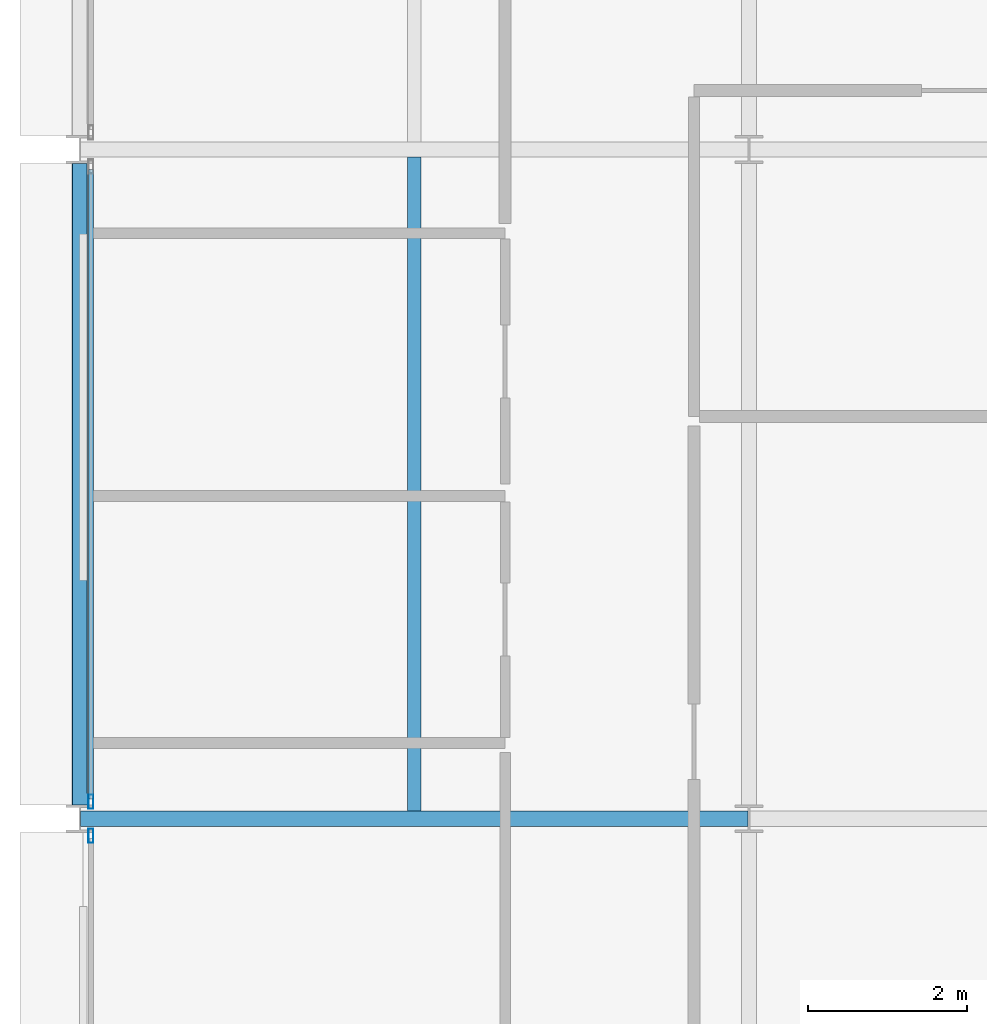
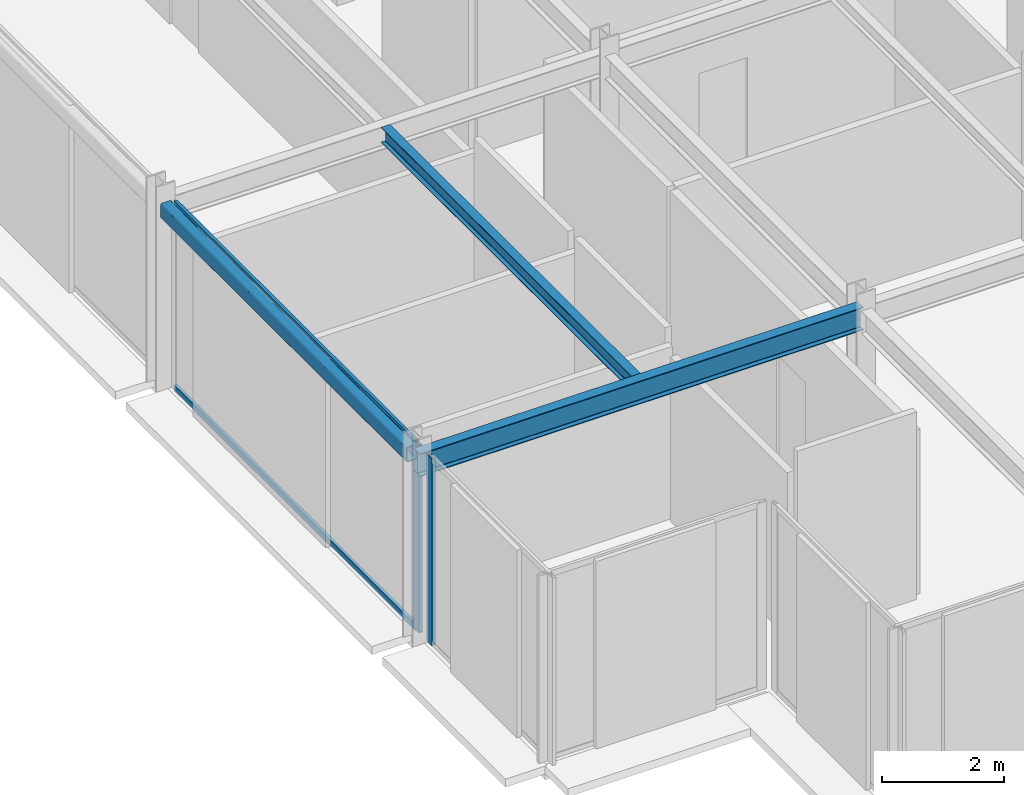
# One storey, part 4 of 26: 4 members, 3 beams, 2 elements without a shape of their own.
"""IFC4 building model written with IfcOpenShell, lengths in metres."""

from ifc_helpers import new_model, si_unit, direction, frame, origin, origin_2d, place, context, subcontext, project, spatial, hollow_rectangle, i_section, extrude, material, layer, layer_set, material_profile, profile_set, type_object, element, aggregate, save


model = new_model("IFC4")

# Units and contexts
model_context = context("Model", 3, precision=1e-05, world=origin(), true_north=direction((0.0, 1.0)))
body_context = subcontext(model_context, "Body", "Model", "MODEL_VIEW")
ifc_project = project(units=[si_unit("LENGTHUNIT", "METRE"), si_unit("AREAUNIT", "SQUARE_METRE"), si_unit("VOLUMEUNIT", "CUBIC_METRE"), si_unit("PLANEANGLEUNIT", "RADIAN"), si_unit("MASSUNIT", "GRAM", prefix="KILO")], contexts=[model_context])

# Site, building, storey
site_placement = place(None, origin())
site = spatial("IfcSite", under=ifc_project, at=site_placement, CompositionType="ELEMENT")
building_placement = place(site_placement, origin())
building = spatial("IfcBuilding", under=site, at=building_placement, Name="Nerrivon Quay Data Exchange", CompositionType="ELEMENT")
storey_placement = place(building_placement, frame((0.0, 0.0, 241.10009765625)))
storey = spatial("IfcBuildingStorey", under=building, at=storey_placement, Name="L57", CompositionType="ELEMENT", Elevation=241.10009765625)

# Beams
ifc_material_1 = material(Name="Steel Grade 350", Category="steel")
ifc_material_profile_1 = material_profile(ifc_material_1, i_section(OverallWidth=0.19091796875, OverallDepth=0.4599609375, WebThickness=0.010009765625, FlangeThickness=0.01611328125, FilletRadius=0.011474609375, at=origin_2d()), Name="460UB82.1")
ifc_profile_set_1 = profile_set([ifc_material_profile_1], Name="Steel Grade 350")
beam_type_1 = type_object("IfcBeamType", Name="BM-G5-460UB82", PredefinedType="BEAM", material=ifc_profile_set_1)
beam_1_placement = place(storey_placement, frame((0.010009765625, 8.39990234375, 3.52001953125), z_axis=(1.0, 0.0, 0.0), x_axis=(0.0, 1.0, 0.0)))
element("IfcBeam", 1, at=beam_1_placement, inside=storey, type_object=beam_type_1, Name="L57 EW Girder Y=8.4 (0.0..8.4)", PredefinedType="BEAM", context=body_context, shape_type="SweptSolid", body=[
    extrude(i_section(OverallWidth=0.19091796875, OverallDepth=0.4599609375, WebThickness=0.010009765625, FlangeThickness=0.01611328125, FilletRadius=0.011474609375, at=origin_2d()), origin(), (0.0, 0.0, 1.0), 8.3798828125),
])
ifc_material_profile_2 = material_profile(ifc_material_1, i_section(OverallWidth=0.166015625, OverallDepth=0.306884765625, WebThickness=0.006591796875, FlangeThickness=0.01171875, FilletRadius=0.011474609375, at=origin_2d()), Name="310UB46.2")
ifc_profile_set_2 = profile_set([ifc_material_profile_2], Name="Steel Grade 350")
beam_type_2 = type_object("IfcBeamType", Name="BM-J5-310UB46", PredefinedType="JOIST", material=ifc_profile_set_2)
beam_2_placement = place(storey_placement, frame((4.199951171875, 8.49560546875, 3.596435546875), z_axis=(0.0, 1.0, 0.0), x_axis=(-1.0, 0.0, 0.0)))
element("IfcBeam", 2, at=beam_2_placement, inside=storey, type_object=beam_type_2, Name="L57 Secondary Joist X=4.2 (8.4..16.8)", PredefinedType="JOIST", context=body_context, shape_type="SweptSolid", body=[
    extrude(i_section(OverallWidth=0.166015625, OverallDepth=0.306884765625, WebThickness=0.006591796875, FlangeThickness=0.01171875, FilletRadius=0.011474609375, at=origin_2d()), origin(), (0.0, 0.0, 1.0), 8.208984375),
])
ifc_material_2 = material(Name="Steel Grade C350L0 (350 MPa)", Category="steel")
ifc_material_profile_3 = material_profile(ifc_material_2, hollow_rectangle(XDim=0.199951171875, YDim=0.300048828125, WallThickness=0.012451171875, InnerFilletRadius=0.018798828125, OuterFilletRadius=0.03125, at=origin_2d()), Name="300x200x12.5RHS")
ifc_profile_set_3 = profile_set([ifc_material_profile_3], Name="Steel Grade C350L0 (350 MPa)")
beam_type_3 = type_object("IfcBeamType", Name="BM-SP3-300x200RHS", PredefinedType="SPANDREL", material=ifc_profile_set_3)
beam_3_placement = place(storey_placement, frame((0.0, 8.574951171875, 3.599853515625), z_axis=(0.0, 1.0, 0.0), x_axis=(-1.0, 0.0, 0.0)))
element("IfcBeam", 3, at=beam_3_placement, inside=storey, type_object=beam_type_3, Name="L57 NS Girder X=0.0 (8.4..16.8)", PredefinedType="SPANDREL", context=body_context, shape_type="SweptSolid", body=[
    extrude(hollow_rectangle(XDim=0.199951171875, YDim=0.300048828125, WallThickness=0.012451171875, InnerFilletRadius=0.018798828125, OuterFilletRadius=0.03125, at=origin_2d()), origin(), (0.0, 0.0, 1.0), 8.050048828125),
])

# Curtain wall, member
ifc_material_3 = material(Name="Anodised aluminium 6063-T6", Category="aluminium")
ifc_layer = layer(ifc_material_3, 0.195068359375)
ifc_layer_set = layer_set([ifc_layer], Name="Anodised aluminium 6063-T6")
curtain_wall_type = type_object("IfcCurtainWallType", Name="CW-SYS-06", PredefinedType="NOTDEFINED", material=ifc_layer_set)
curtain_wall_1_placement = place(storey_placement, origin())
curtain_wall_1 = element("IfcCurtainWall", 4, at=curtain_wall_1_placement, inside=storey, type_object=curtain_wall_type, Name="L57 Unitised Curtain Wall 11", PredefinedType="NOTDEFINED")
ifc_material_profile_4 = material_profile(ifc_material_3, hollow_rectangle(XDim=0.06494140625, YDim=0.179931640625, WallThickness=0.00341796875, at=origin_2d()), Name="ALU-MULL-180x65")
ifc_profile_set_4 = profile_set([ifc_material_profile_4], Name="Anodised aluminium 6063-T6")
member_type_1 = type_object("IfcMemberType", Name="CWM-180x65", PredefinedType="MULLION", material=ifc_profile_set_4)
member_1_placement = place(storey_placement, frame((0.139892578125, 8.1875, 0.0), z_axis=(0.0, 0.0, 1.0), x_axis=(-1.0, 0.0, 0.0)))
member_1 = element("IfcMember", 5, at=member_1_placement, type_object=member_type_1, Name="CW06 mullion 2", PredefinedType="MULLION", context=body_context, shape_type="SweptSolid", body=[
    extrude(hollow_rectangle(XDim=0.06494140625, YDim=0.179931640625, WallThickness=0.00341796875, at=origin_2d()), origin(), (0.0, 0.0, 1.0), 3.75),
])
aggregate(curtain_wall_1, [member_1])

# Curtain wall, members
curtain_wall_2_placement = place(storey_placement, origin())
curtain_wall_2 = element("IfcCurtainWall", 6, at=curtain_wall_2_placement, inside=storey, type_object=curtain_wall_type, Name="L57 Unitised Curtain Wall 12", PredefinedType="NOTDEFINED")
member_2_placement = place(storey_placement, frame((0.139892578125, 8.612548828125, 0.0), z_axis=(0.0, 0.0, 1.0), x_axis=(-1.0, 0.0, 0.0)))
member_2 = element("IfcMember", 7, at=member_2_placement, type_object=member_type_1, Name="CW06 mullion 1", PredefinedType="MULLION", context=body_context, shape_type="SweptSolid", body=[
    extrude(hollow_rectangle(XDim=0.06494140625, YDim=0.179931640625, WallThickness=0.00341796875, at=origin_2d()), origin(), (0.0, 0.0, 1.0), 3.75),
])
ifc_material_profile_5 = material_profile(ifc_material_3, hollow_rectangle(XDim=0.06005859375, YDim=0.1201171875, WallThickness=0.003173828125, at=origin_2d()), Name="ALU-TRAN-120x60")
ifc_profile_set_5 = profile_set([ifc_material_profile_5], Name="Anodised aluminium 6063-T6")
member_type_2 = type_object("IfcMemberType", Name="CWT-120x60", PredefinedType="USERDEFINED", material=ifc_profile_set_5)
member_3_placement = place(storey_placement, frame((0.139892578125, 8.64990234375, 0.032470703125), z_axis=(0.0, 1.0, 0.0), x_axis=(-1.0, 0.0, 0.0)))
member_3 = element("IfcMember", 8, at=member_3_placement, type_object=member_type_2, Name="CW06 transom 1.1", ObjectType="TRANSOM", PredefinedType="USERDEFINED", context=body_context, shape_type="SweptSolid", body=[
    extrude(hollow_rectangle(XDim=0.06005859375, YDim=0.1201171875, WallThickness=0.003173828125, at=origin_2d()), origin(), (0.0, 0.0, 1.0), 7.900146484375),
])
member_4_placement = place(storey_placement, frame((0.139892578125, 8.64990234375, 3.71728515625), z_axis=(0.0, 1.0, 0.0), x_axis=(-1.0, 0.0, 0.0)))
member_4 = element("IfcMember", 9, at=member_4_placement, type_object=member_type_2, Name="CW06 transom 1.2", ObjectType="TRANSOM", PredefinedType="USERDEFINED", context=body_context, shape_type="SweptSolid", body=[
    extrude(hollow_rectangle(XDim=0.06005859375, YDim=0.1201171875, WallThickness=0.003173828125, at=origin_2d()), origin(), (0.0, 0.0, 1.0), 7.900146484375),
])
aggregate(curtain_wall_2, [member_2, member_3, member_4])

save(model, "model.ifc")
